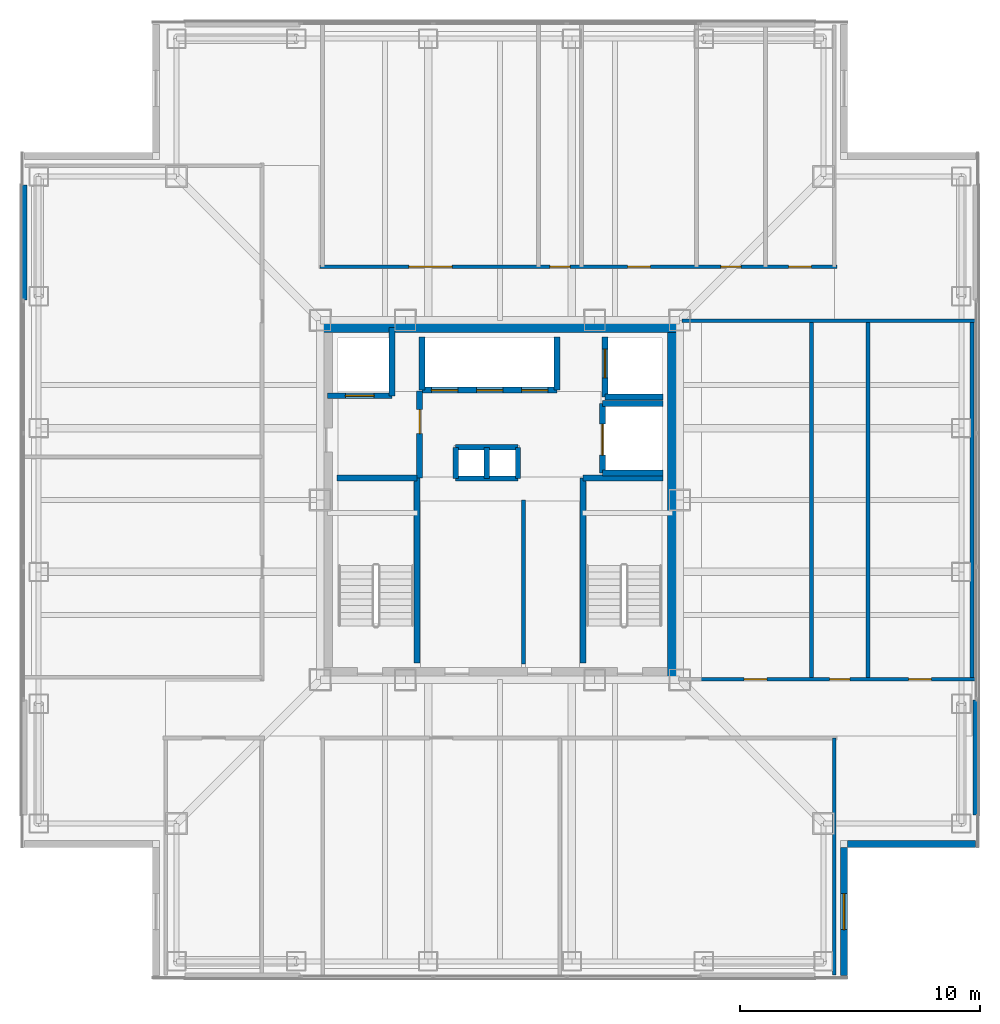
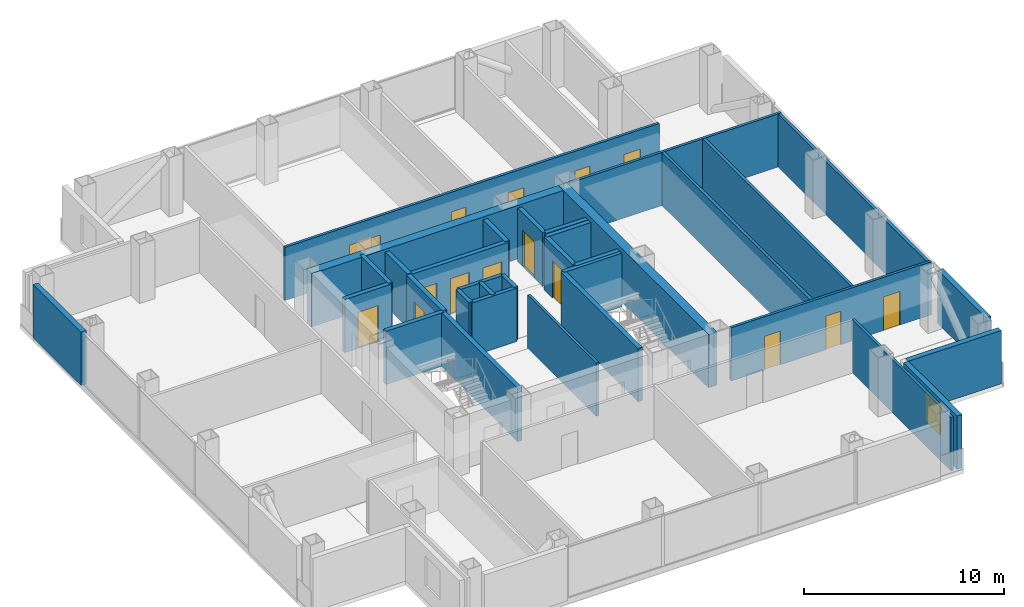
# One storey, part 9 of 16: 34 walls, 15 doors, 1 window, 16 openings.
"""IFC4 building model written with IfcOpenShell, lengths in metres."""

from ifc_helpers import new_model, si_unit, direction, frame, frame_2d, origin, place, context, subcontext, project, spatial, rectangle, extrude, material, layer, layer_set, type_object, element, fill, save


model = new_model("IFC4")

# Units and contexts
model_context = context("Model", 3, precision=1e-05, world=origin(), true_north=direction((0.0, 1.0)))
body_context = subcontext(model_context, "Body", "Model", "MODEL_VIEW")
ifc_project = project(units=[si_unit("LENGTHUNIT", "METRE"), si_unit("AREAUNIT", "SQUARE_METRE"), si_unit("VOLUMEUNIT", "CUBIC_METRE"), si_unit("PLANEANGLEUNIT", "RADIAN"), si_unit("MASSUNIT", "GRAM", prefix="KILO")], contexts=[model_context])

# Site, building, storey
site_placement = place(None, origin())
site = spatial("IfcSite", under=ifc_project, at=site_placement, CompositionType="ELEMENT")
building_placement = place(site_placement, origin())
building = spatial("IfcBuilding", under=site, at=building_placement, Name="Trevonay Congress Spire", CompositionType="ELEMENT")
storey_placement = place(building_placement, frame((0.0, 0.0, 223.800048828125)))
storey = spatial("IfcBuildingStorey", under=building, at=storey_placement, Name="L58", CompositionType="ELEMENT", Elevation=223.800048828125)

# Walls
ifc_material_1 = material(Name="Concrete C50/60", Category="concrete")
ifc_layer_1 = layer(ifc_material_1, 0.5, Name="Concrete C50/60")
ifc_layer_set_1 = layer_set([ifc_layer_1], Name="Concrete C50/60")
wall_type_1 = type_object("IfcWallType", Name="WAL-CORE-500", PredefinedType="SHEAR", material=ifc_layer_set_1)
for number, where, z_axis, x_axis, name in (
    (1, (-7.5, 7.25, 0.0), (0.0, 0.0, 1.0), (1.0, 0.0, 0.0), "L58 North structural core shear wall"),
    (2, (7.25, -7.5, 0.0), (0.0, 0.0, 1.0), (0.0, 1.0, 0.0), "L58 East structural core shear wall"),
):
    element("IfcWall", number, at=place(storey_placement, frame(where, z_axis=z_axis, x_axis=x_axis)), inside=storey, type_object=wall_type_1, Name=name, PredefinedType="SHEAR", context=body_context, shape_type="SweptSolid", body=[
        extrude(rectangle(XDim=15.0, YDim=0.5, at=frame_2d((7.5, 0.0))), origin(), (0.0, 0.0, 1.0), 3.25),
    ])

# Wall, openings, doors
ifc_material_2 = material(Name="Concrete C40/50", Category="concrete")
ifc_layer_2 = layer(ifc_material_2, 0.14990234375, Name="Concrete C40/50")
ifc_layer_set_2 = layer_set([ifc_layer_2], Name="Concrete C40/50")
wall_type_2 = type_object("IfcWallType", Name="WAL-CORR-150", PredefinedType="PARTITIONING", material=ifc_layer_set_2)
wall_1_placement = place(storey_placement, frame((-7.52001953125, 9.72998046875, 0.0), z_axis=(0.0, 0.0, 1.0), x_axis=(1.0, 0.0, 0.0)))
wall_1 = element("IfcWall", 3, at=wall_1_placement, inside=storey, type_object=wall_type_2, Name="L58 interior wall WP-L58N-COR", PredefinedType="PARTITIONING", context=body_context, shape_type="SweptSolid", body=[
    extrude(rectangle(XDim=21.590087890625, YDim=0.14990234375, at=frame_2d((10.794921875, 0.0))), origin(), (0.0, 0.0, 1.0), 3.25),
])
opening_1_placement = place(wall_1_placement, frame((3.719970703125, 0.0, 0.0)))
opening_1 = element("IfcOpeningElement", 4, at=opening_1_placement, cuts=wall_1, Name="Opening D09", PredefinedType="OPENING", context=body_context, shape_type="SweptSolid", body=[
    extrude(rectangle(XDim=1.800048828125, YDim=2.080078125, at=frame_2d((0.89990234375, 1.0400390625))), frame((0.0, 0.0849609375, 0.0), z_axis=(0.0, -1.0, 0.0), x_axis=(1.0, 0.0, 0.0)), (0.0, 0.0, 1.0), 0.169921875),
])
opening_2_placement = place(wall_1_placement, frame((9.60009765625, 0.0, 0.0)))
opening_2 = element("IfcOpeningElement", 5, at=opening_2_placement, cuts=wall_1, Name="Opening D10", PredefinedType="OPENING", context=body_context, shape_type="SweptSolid", body=[
    extrude(rectangle(XDim=0.85009765625, YDim=2.050048828125, at=frame_2d((0.425048828125, 1.02490234375))), frame((0.0, 0.0849609375, 0.0), z_axis=(0.0, -1.0, 0.0), x_axis=(1.0, 0.0, 0.0)), (0.0, 0.0, 1.0), 0.169921875),
])
opening_3_placement = place(wall_1_placement, frame((12.85009765625, 0.0, 0.0)))
opening_3 = element("IfcOpeningElement", 6, at=opening_3_placement, cuts=wall_1, Name="Opening D07", PredefinedType="OPENING", context=body_context, shape_type="SweptSolid", body=[
    extrude(rectangle(XDim=0.949951171875, YDim=2.06005859375, at=frame_2d((0.47509765625, 1.030029296875))), frame((0.0, 0.0849609375, 0.0), z_axis=(0.0, -1.0, 0.0), x_axis=(1.0, 0.0, 0.0)), (0.0, 0.0, 1.0), 0.169921875),
])
opening_4_placement = place(wall_1_placement, frame((16.735107421875, 0.0, 0.0)))
opening_4 = element("IfcOpeningElement", 7, at=opening_4_placement, cuts=wall_1, Name="Opening D10", PredefinedType="OPENING", context=body_context, shape_type="SweptSolid", body=[
    extrude(rectangle(XDim=0.85009765625, YDim=2.050048828125, at=frame_2d((0.425048828125, 1.02490234375))), frame((0.0, 0.0849609375, 0.0), z_axis=(0.0, -1.0, 0.0), x_axis=(1.0, 0.0, 0.0)), (0.0, 0.0, 1.0), 0.169921875),
])
opening_5_placement = place(wall_1_placement, frame((19.56005859375, 0.0, 0.0)))
opening_5 = element("IfcOpeningElement", 8, at=opening_5_placement, cuts=wall_1, Name="Opening D07", PredefinedType="OPENING", context=body_context, shape_type="SweptSolid", body=[
    extrude(rectangle(XDim=0.949951171875, YDim=2.06005859375, at=frame_2d((0.47509765625, 1.030029296875))), frame((0.0, 0.0849609375, 0.0), z_axis=(0.0, -1.0, 0.0), x_axis=(1.0, 0.0, 0.0)), (0.0, 0.0, 1.0), 0.169921875),
])
ifc_material_3 = material(Name="Pale Anodised Aluminium EN AW-6063-T6", Category="aluminium")
door_type_1 = type_object("IfcDoorType", Name="DOR-CONF-DBL", OperationType="DOUBLE_DOOR_SINGLE_SWING", PredefinedType="DOOR", material=ifc_material_3)
door_1_placement = place(opening_1_placement, origin())
door_1 = element("IfcDoor", 9, at=door_1_placement, inside=storey, type_object=door_type_1, Name="L58 Showroom Cafe Restaurant Door", OperationType="DOUBLE_DOOR_SINGLE_SWING", OverallHeight=2.080078125, OverallWidth=1.800048828125, PredefinedType="DOOR", context=body_context, shape_type="SweptSolid", body=[
    extrude(rectangle(XDim=1.800048828125, YDim=2.080078125, at=frame_2d((0.89990234375, 1.0400390625))), frame((0.0, 0.02490234375, 0.0), z_axis=(0.0, -1.0, 0.0), x_axis=(1.0, 0.0, 0.0)), (0.0, 0.0, 1.0), 0.050048828125),
])
fill(opening_1, door_1)
door_type_2 = type_object("IfcDoorType", Name="DOR-OFFICE-95", OperationType="NOTDEFINED", PredefinedType="DOOR", material=ifc_material_3)
door_2_placement = place(opening_3_placement, origin())
door_2 = element("IfcDoor", 10, at=door_2_placement, inside=storey, type_object=door_type_2, Name="L58 Floor Supplies and Copy Room Door", OperationType="SINGLE_SWING_RIGHT", OverallHeight=2.06005859375, OverallWidth=0.949951171875, PredefinedType="DOOR", context=body_context, shape_type="SweptSolid", body=[
    extrude(rectangle(XDim=0.949951171875, YDim=2.06005859375, at=frame_2d((0.47509765625, 1.030029296875))), frame((0.0, 0.02490234375, 0.0), z_axis=(0.0, -1.0, 0.0), x_axis=(1.0, 0.0, 0.0)), (0.0, 0.0, 1.0), 0.050048828125),
])
fill(opening_3, door_2)
door_3_placement = place(opening_5_placement, origin())
door_3 = element("IfcDoor", 11, at=door_3_placement, inside=storey, type_object=door_type_2, Name="L58 Floor Supplies and Copy Room Door", OperationType="SINGLE_SWING_RIGHT", OverallHeight=2.06005859375, OverallWidth=0.949951171875, PredefinedType="DOOR", context=body_context, shape_type="SweptSolid", body=[
    extrude(rectangle(XDim=0.949951171875, YDim=2.06005859375, at=frame_2d((0.47509765625, 1.030029296875))), frame((0.0, 0.02490234375, 0.0), z_axis=(0.0, -1.0, 0.0), x_axis=(1.0, 0.0, 0.0)), (0.0, 0.0, 1.0), 0.050048828125),
])
fill(opening_5, door_3)
door_type_3 = type_object("IfcDoorType", Name="DOR-WC-85", OperationType="NOTDEFINED", PredefinedType="DOOR", material=ifc_material_3)
door_4_placement = place(opening_2_placement, origin())
door_4 = element("IfcDoor", 12, at=door_4_placement, inside=storey, type_object=door_type_3, Name="L58 Accessible WC Door", OperationType="SINGLE_SWING_LEFT", OverallHeight=2.050048828125, OverallWidth=0.85009765625, PredefinedType="DOOR", context=body_context, shape_type="SweptSolid", body=[
    extrude(rectangle(XDim=0.85009765625, YDim=2.050048828125, at=frame_2d((0.425048828125, 1.02490234375))), frame((0.0, 0.02490234375, 0.0), z_axis=(0.0, -1.0, 0.0), x_axis=(1.0, 0.0, 0.0)), (0.0, 0.0, 1.0), 0.050048828125),
])
fill(opening_2, door_4)
door_5_placement = place(opening_4_placement, origin())
door_5 = element("IfcDoor", 13, at=door_5_placement, inside=storey, type_object=door_type_3, Name="L58 Female Restroom WC Door", OperationType="SINGLE_SWING_LEFT", OverallHeight=2.050048828125, OverallWidth=0.85009765625, PredefinedType="DOOR", context=body_context, shape_type="SweptSolid", body=[
    extrude(rectangle(XDim=0.85009765625, YDim=2.050048828125, at=frame_2d((0.425048828125, 1.02490234375))), frame((0.0, 0.02490234375, 0.0), z_axis=(0.0, -1.0, 0.0), x_axis=(1.0, 0.0, 0.0)), (0.0, 0.0, 1.0), 0.050048828125),
])
fill(opening_4, door_5)

wall_2_placement = place(storey_placement, frame((8.280029296875, -7.47998046875, 0.0), z_axis=(0.0, 0.0, 1.0), x_axis=(1.0, 0.0, 0.0)))
wall_2 = element("IfcWall", 14, at=wall_2_placement, inside=storey, type_object=wall_type_2, Name="L58 interior wall WP-L58E-COR", PredefinedType="PARTITIONING", context=body_context, shape_type="SweptSolid", body=[
    extrude(rectangle(XDim=11.5400390625, YDim=0.14990234375, at=frame_2d((5.77001953125, 0.0))), origin(), (0.0, 0.0, 1.0), 3.25),
])
opening_6_placement = place(wall_2_placement, frame((1.905029296875, 0.0, 0.0)))
opening_6 = element("IfcOpeningElement", 15, at=opening_6_placement, cuts=wall_2, Name="Opening D07", PredefinedType="OPENING", context=body_context, shape_type="SweptSolid", body=[
    extrude(rectangle(XDim=0.949951171875, YDim=2.06005859375, at=frame_2d((0.47509765625, 1.030029296875))), frame((0.0, 0.0849609375, 0.0), z_axis=(0.0, -1.0, 0.0), x_axis=(1.0, 0.0, 0.0)), (0.0, 0.0, 1.0), 0.169921875),
])
opening_7_placement = place(wall_2_placement, frame((5.469970703125, 0.0, 0.0)))
opening_7 = element("IfcOpeningElement", 16, at=opening_7_placement, cuts=wall_2, Name="Opening D10", PredefinedType="OPENING", context=body_context, shape_type="SweptSolid", body=[
    extrude(rectangle(XDim=0.85009765625, YDim=2.050048828125, at=frame_2d((0.425048828125, 1.02490234375))), frame((0.0, 0.0849609375, 0.0), z_axis=(0.0, -1.0, 0.0), x_axis=(1.0, 0.0, 0.0)), (0.0, 0.0, 1.0), 0.169921875),
])
opening_8_placement = place(wall_2_placement, frame((8.77001953125, 0.0, 0.0)))
opening_8 = element("IfcOpeningElement", 17, at=opening_8_placement, cuts=wall_2, Name="Opening D07", PredefinedType="OPENING", context=body_context, shape_type="SweptSolid", body=[
    extrude(rectangle(XDim=0.949951171875, YDim=2.06005859375, at=frame_2d((0.47509765625, 1.030029296875))), frame((0.0, 0.0849609375, 0.0), z_axis=(0.0, -1.0, 0.0), x_axis=(1.0, 0.0, 0.0)), (0.0, 0.0, 1.0), 0.169921875),
])
door_6_placement = place(opening_6_placement, origin())
door_6 = element("IfcDoor", 18, at=door_6_placement, inside=storey, type_object=door_type_2, Name="L58 Catering Kitchen Door", OperationType="SINGLE_SWING_LEFT", OverallHeight=2.06005859375, OverallWidth=0.949951171875, PredefinedType="DOOR", context=body_context, shape_type="SweptSolid", body=[
    extrude(rectangle(XDim=0.949951171875, YDim=2.06005859375, at=frame_2d((0.47509765625, 1.030029296875))), frame((0.0, 0.02490234375, 0.0), z_axis=(0.0, -1.0, 0.0), x_axis=(1.0, 0.0, 0.0)), (0.0, 0.0, 1.0), 0.050048828125),
])
fill(opening_6, door_6)
door_7_placement = place(opening_8_placement, origin())
door_7 = element("IfcDoor", 19, at=door_7_placement, inside=storey, type_object=door_type_2, Name="L58 Floor Supplies and Copy Room Door", OperationType="SINGLE_SWING_LEFT", OverallHeight=2.06005859375, OverallWidth=0.949951171875, PredefinedType="DOOR", context=body_context, shape_type="SweptSolid", body=[
    extrude(rectangle(XDim=0.949951171875, YDim=2.06005859375, at=frame_2d((0.47509765625, 1.030029296875))), frame((0.0, 0.02490234375, 0.0), z_axis=(0.0, -1.0, 0.0), x_axis=(1.0, 0.0, 0.0)), (0.0, 0.0, 1.0), 0.050048828125),
])
fill(opening_8, door_7)
door_8_placement = place(opening_7_placement, origin())
door_8 = element("IfcDoor", 20, at=door_8_placement, inside=storey, type_object=door_type_3, Name="L58 Male Restroom WC Door", OperationType="SINGLE_SWING_RIGHT", OverallHeight=2.050048828125, OverallWidth=0.85009765625, PredefinedType="DOOR", context=body_context, shape_type="SweptSolid", body=[
    extrude(rectangle(XDim=0.85009765625, YDim=2.050048828125, at=frame_2d((0.425048828125, 1.02490234375))), frame((0.0, 0.02490234375, 0.0), z_axis=(0.0, -1.0, 0.0), x_axis=(1.0, 0.0, 0.0)), (0.0, 0.0, 1.0), 0.050048828125),
])
fill(opening_7, door_8)

# Walls
ifc_material_4 = material(Name="Precast concrete C40/50", Category="concrete")
ifc_layer_3 = layer(ifc_material_4, 0.300048828125, Name="Precast concrete C40/50")
ifc_layer_set_3 = layer_set([ifc_layer_3], Name="Precast concrete C40/50")
wall_type_3 = type_object("IfcWallType", Name="WAL-EXT-PRECAST-300", PredefinedType="SOLIDWALL", material=ifc_layer_set_3)
for number, where, z_axis, x_axis, name in (
    (21, (-19.8798828125, 8.35009765625, 0.0), (0.0, 0.0, 1.0), (0.0, 1.0, 0.0), "L58 WR braced-bay exterior pier wall"),
    (22, (19.8798828125, -13.14990234375, 0.0), (0.0, 0.0, 1.0), (0.0, 1.0, 0.0), "L58 EL braced-bay exterior pier wall"),
):
    element("IfcWall", number, at=place(storey_placement, frame(where, z_axis=z_axis, x_axis=x_axis)), inside=storey, type_object=wall_type_3, Name=name, PredefinedType="SOLIDWALL", context=body_context, shape_type="SweptSolid", body=[
        extrude(rectangle(XDim=4.7998046875, YDim=0.300048828125, at=frame_2d((2.39990234375, 0.0))), origin(), (0.0, 0.0, 1.0), 3.25),
    ])

# Wall, opening, window
wall_3_placement = place(storey_placement, frame((14.35009765625, -19.85009765625, 0.0), z_axis=(0.0, 0.0, 1.0), x_axis=(0.0, 1.0, 0.0)))
wall_3 = element("IfcWall", 23, at=wall_3_placement, inside=storey, type_object=wall_type_3, Name="L58 SE re-entrant notch exterior wall 1", PredefinedType="SOLIDWALL", context=body_context, shape_type="SweptSolid", body=[
    extrude(rectangle(XDim=5.35009765625, YDim=0.300048828125, at=frame_2d((2.675048828125, 0.0))), origin(), (0.0, 0.0, 1.0), 3.25),
])
opening_9_placement = place(wall_3_placement, frame((1.925048828125, 0.0, 0.89990234375)))
opening_9 = element("IfcOpeningElement", 24, at=opening_9_placement, cuts=wall_3, Name="Opening WN03", PredefinedType="OPENING", context=body_context, shape_type="SweptSolid", body=[
    extrude(rectangle(XDim=1.5, YDim=1.800048828125, at=frame_2d((0.75, 0.89990234375))), frame((0.0, 0.16015625, 0.0), z_axis=(0.0, -1.0, 0.0), x_axis=(1.0, 0.0, 0.0)), (0.0, 0.0, 1.0), 0.320068359375),
])
ifc_material_5 = material(Name="Insulated Low-E Vision Glass IGU", Category="glass")
window_type = type_object("IfcWindowType", Name="WIN-NOTCH-150X180", PartitioningType="SINGLE_PANEL", PredefinedType="WINDOW", material=ifc_material_5)
window_placement = place(opening_9_placement, origin())
window = element("IfcWindow", 25, at=window_placement, inside=storey, type_object=window_type, Name="L58 SE corner notch window", OverallHeight=1.800048828125, OverallWidth=1.5, PartitioningType="SINGLE_PANEL", PredefinedType="WINDOW", context=body_context, shape_type="SweptSolid", body=[
    extrude(rectangle(XDim=1.5, YDim=1.800048828125, at=frame_2d((0.75, 0.89990234375))), frame((0.0, 0.030029296875, 0.0), z_axis=(0.0, -1.0, 0.0), x_axis=(1.0, 0.0, 0.0)), (0.0, 0.0, 1.0), 0.06005859375),
])
fill(opening_9, window)

# Walls
wall_4_placement = place(storey_placement, frame((19.85009765625, -14.35009765625, 0.0), z_axis=(0.0, 0.0, 1.0), x_axis=(-1.0, 0.0, 0.0)))
element("IfcWall", 26, at=wall_4_placement, inside=storey, type_object=wall_type_3, Name="L58 SE re-entrant notch exterior wall 2", PredefinedType="SOLIDWALL", context=body_context, shape_type="SweptSolid", body=[
    extrude(rectangle(XDim=5.35009765625, YDim=0.300048828125, at=frame_2d((2.675048828125, 0.0))), origin(), (0.0, 0.0, 1.0), 3.25),
])
ifc_layer_4 = layer(ifc_material_2, 0.14990234375, Name="Concrete C40/50")
ifc_layer_set_4 = layer_set([ifc_layer_4], Name="Concrete C40/50")
wall_type_4 = type_object("IfcWallType", Name="WAL-PART-150", PredefinedType="PARTITIONING", material=ifc_layer_set_4)
wall_5_placement = place(storey_placement, frame((0.97998046875, -6.85009765625, 0.0), z_axis=(0.0, 0.0, 1.0), x_axis=(0.0, 1.0, 0.0)))
element("IfcWall", 27, at=wall_5_placement, inside=storey, type_object=wall_type_4, Name="L58 interior wall CW-F3-L58", PredefinedType="PARTITIONING", context=body_context, shape_type="SweptSolid", body=[
    extrude(rectangle(XDim=6.85009765625, YDim=0.14990234375, at=frame_2d((3.425048828125, 0.0))), origin(), (0.0, 0.0, 1.0), 3.25),
])
wall_6_placement = place(storey_placement, frame((13.949951171875, -19.820068359375, 0.0), z_axis=(0.0, 0.0, 1.0), x_axis=(0.0, 1.0, 0.0)))
element("IfcWall", 28, at=wall_6_placement, inside=storey, type_object=wall_type_4, Name="L58 interior wall WP-L58SE-DIV3", PredefinedType="PARTITIONING", context=body_context, shape_type="SweptSolid", body=[
    extrude(rectangle(XDim=9.89013671875, YDim=0.14990234375, at=frame_2d((4.945068359375, 0.0))), origin(), (0.0, 0.0, 1.0), 3.25),
])
wall_7_placement = place(storey_placement, frame((7.60009765625, 7.47998046875, 0.0), z_axis=(0.0, 0.0, 1.0), x_axis=(1.0, 0.0, 0.0)))
element("IfcWall", 29, at=wall_7_placement, inside=storey, type_object=wall_type_4, Name="L58 interior wall WP-L58E-NCLS", PredefinedType="PARTITIONING", context=body_context, shape_type="SweptSolid", body=[
    extrude(rectangle(XDim=12.219970703125, YDim=0.14990234375, at=frame_2d((6.10986328125, 0.0))), origin(), (0.0, 0.0, 1.0), 3.25),
])
ifc_layer_5 = layer(ifc_material_2, 0.219970703125, Name="Concrete C40/50")
ifc_layer_set_5 = layer_set([ifc_layer_5], Name="Concrete C40/50")
wall_type_5 = type_object("IfcWallType", Name="WAL-SHAFT-220", PredefinedType="PARTITIONING", material=ifc_layer_set_5)
for number, where, z_axis, x_axis, name in (
    (30, (-1.85009765625, 2.199951171875, 0.0), (0.0, 0.0, 1.0), (1.0, 0.0, 0.0), "L58 interior shaft wall WSH-L58-RSR-N"),
    (31, (-1.85009765625, 0.89990234375, 0.0), (0.0, 0.0, 1.0), (1.0, 0.0, 0.0), "L58 interior shaft wall WSH-L58-RSR-S"),
):
    element("IfcWall", number, at=place(storey_placement, frame(where, z_axis=z_axis, x_axis=x_axis)), inside=storey, type_object=wall_type_5, Name=name, PredefinedType="PARTITIONING", context=body_context, shape_type="SweptSolid", body=[
        extrude(rectangle(XDim=2.60009765625, YDim=0.219970703125, at=frame_2d((1.300048828125, 0.0))), origin(), (0.0, 0.0, 1.0), 3.25),
    ])
for number, where, z_axis, x_axis, name in (
    (32, (-0.550048828125, 0.89990234375, 0.0), (0.0, 0.0, 1.0), (0.0, 1.0, 0.0), "L58 interior shaft wall WSH-L58-RSR-M"),
    (33, (0.75, 0.89990234375, 0.0), (0.0, 0.0, 1.0), (0.0, 1.0, 0.0), "L58 interior shaft wall WSH-L58-RSR-E"),
    (34, (-1.85009765625, 0.89990234375, 0.0), (0.0, 0.0, 1.0), (0.0, 1.0, 0.0), "L58 interior shaft wall WSH-L58-RSR-W"),
):
    element("IfcWall", number, at=place(storey_placement, frame(where, z_axis=z_axis, x_axis=x_axis)), inside=storey, type_object=wall_type_5, Name=name, PredefinedType="PARTITIONING", context=body_context, shape_type="SweptSolid", body=[
        extrude(rectangle(XDim=1.300048828125, YDim=0.219970703125, at=frame_2d((0.64990234375, 0.0))), origin(), (0.0, 0.0, 1.0), 3.25),
    ])

# Wall, openings, doors
ifc_layer_6 = layer(ifc_material_2, 0.25, Name="Concrete C40/50")
ifc_layer_set_6 = layer_set([ifc_layer_6], Name="Concrete C40/50")
wall_type_6 = type_object("IfcWallType", Name="WAL-SHAFT-250", PredefinedType="SHEAR", material=ifc_layer_set_6)
wall_8_placement = place(storey_placement, frame((-3.260009765625, 4.580078125, 0.0), z_axis=(0.0, 0.0, 1.0), x_axis=(1.0, 0.0, 0.0)))
wall_8 = element("IfcWall", 35, at=wall_8_placement, inside=storey, type_object=wall_type_6, Name="L58 interior shaft wall WSH-L58-B3-S", PredefinedType="SHEAR", context=body_context, shape_type="SweptSolid", body=[
    extrude(rectangle(XDim=5.639892578125, YDim=0.25, at=frame_2d((2.81982421875, 0.0))), origin(), (0.0, 0.0, 1.0), 3.25),
])
opening_10_placement = place(wall_8_placement, frame((0.39990234375, 0.0, 0.0)))
opening_10 = element("IfcOpeningElement", 36, at=opening_10_placement, cuts=wall_8, Name="Opening LD03", PredefinedType="OPENING", context=body_context, shape_type="SweptSolid", body=[
    extrude(rectangle(XDim=1.10009765625, YDim=2.199951171875, at=frame_2d((0.550048828125, 1.10009765625))), frame((0.0, 0.135009765625, 0.0), z_axis=(0.0, -1.0, 0.0), x_axis=(1.0, 0.0, 0.0)), (0.0, 0.0, 1.0), 0.27001953125),
])
opening_11_placement = place(wall_8_placement, frame((2.280029296875, 0.0, 0.0)))
opening_11 = element("IfcOpeningElement", 37, at=opening_11_placement, cuts=wall_8, Name="Opening LD03", PredefinedType="OPENING", context=body_context, shape_type="SweptSolid", body=[
    extrude(rectangle(XDim=1.10009765625, YDim=2.199951171875, at=frame_2d((0.550048828125, 1.10009765625))), frame((0.0, 0.135009765625, 0.0), z_axis=(0.0, -1.0, 0.0), x_axis=(1.0, 0.0, 0.0)), (0.0, 0.0, 1.0), 0.27001953125),
])
opening_12_placement = place(wall_8_placement, frame((4.159912109375, 0.0, 0.0)))
opening_12 = element("IfcOpeningElement", 38, at=opening_12_placement, cuts=wall_8, Name="Opening LD03", PredefinedType="OPENING", context=body_context, shape_type="SweptSolid", body=[
    extrude(rectangle(XDim=1.10009765625, YDim=2.199951171875, at=frame_2d((0.550048828125, 1.10009765625))), frame((0.0, 0.135009765625, 0.0), z_axis=(0.0, -1.0, 0.0), x_axis=(1.0, 0.0, 0.0)), (0.0, 0.0, 1.0), 0.27001953125),
])
door_type_4 = type_object("IfcDoorType", Name="DOR-LIFT-LD03", OperationType="DOUBLE_DOOR_SLIDING", PredefinedType="DOOR", material=ifc_material_3)
door_9_placement = place(opening_10_placement, origin())
door_9 = element("IfcDoor", 39, at=door_9_placement, inside=storey, type_object=door_type_4, Name="L58 Passenger lift PL-07 landing door", OperationType="DOUBLE_DOOR_SLIDING", OverallHeight=2.199951171875, OverallWidth=1.10009765625, PredefinedType="DOOR", context=body_context, shape_type="SweptSolid", body=[
    extrude(rectangle(XDim=1.10009765625, YDim=2.199951171875, at=frame_2d((0.550048828125, 1.10009765625))), frame((0.0, 0.02490234375, 0.0), z_axis=(0.0, -1.0, 0.0), x_axis=(1.0, 0.0, 0.0)), (0.0, 0.0, 1.0), 0.050048828125),
])
fill(opening_10, door_9)
door_10_placement = place(opening_11_placement, origin())
door_10 = element("IfcDoor", 40, at=door_10_placement, inside=storey, type_object=door_type_4, Name="L58 Passenger lift PL-08 landing door", OperationType="DOUBLE_DOOR_SLIDING", OverallHeight=2.199951171875, OverallWidth=1.10009765625, PredefinedType="DOOR", context=body_context, shape_type="SweptSolid", body=[
    extrude(rectangle(XDim=1.10009765625, YDim=2.199951171875, at=frame_2d((0.550048828125, 1.10009765625))), frame((0.0, 0.02490234375, 0.0), z_axis=(0.0, -1.0, 0.0), x_axis=(1.0, 0.0, 0.0)), (0.0, 0.0, 1.0), 0.050048828125),
])
fill(opening_11, door_10)
door_11_placement = place(opening_12_placement, origin())
door_11 = element("IfcDoor", 41, at=door_11_placement, inside=storey, type_object=door_type_4, Name="L58 Passenger lift PL-09 landing door", OperationType="DOUBLE_DOOR_SLIDING", OverallHeight=2.199951171875, OverallWidth=1.10009765625, PredefinedType="DOOR", context=body_context, shape_type="SweptSolid", body=[
    extrude(rectangle(XDim=1.10009765625, YDim=2.199951171875, at=frame_2d((0.550048828125, 1.10009765625))), frame((0.0, 0.02490234375, 0.0), z_axis=(0.0, -1.0, 0.0), x_axis=(1.0, 0.0, 0.0)), (0.0, 0.0, 1.0), 0.050048828125),
])
fill(opening_12, door_11)

# Walls
for number, where, z_axis, x_axis, name in (
    (42, (-3.260009765625, 4.580078125, 0.0), (0.0, 0.0, 1.0), (0.0, 1.0, 0.0), "L58 interior shaft wall WSH-L58-B3-W"),
    (43, (2.3798828125, 4.580078125, 0.0), (0.0, 0.0, 1.0), (0.0, 1.0, 0.0), "L58 interior shaft wall WSH-L58-B3-E"),
):
    element("IfcWall", number, at=place(storey_placement, frame(where, z_axis=z_axis, x_axis=x_axis)), inside=storey, type_object=wall_type_6, Name=name, PredefinedType="SHEAR", context=body_context, shape_type="SweptSolid", body=[
        extrude(rectangle(XDim=2.219970703125, YDim=0.25, at=frame_2d((1.10986328125, 0.0))), origin(), (0.0, 0.0, 1.0), 3.25),
    ])

# Wall, opening, door
wall_9_placement = place(storey_placement, frame((-7.199951171875, 4.35009765625, 0.0), z_axis=(0.0, 0.0, 1.0), x_axis=(1.0, 0.0, 0.0)))
wall_9 = element("IfcWall", 44, at=wall_9_placement, inside=storey, type_object=wall_type_6, Name="L58 interior shaft wall WSH-L58-FF1-S", PredefinedType="SHEAR", context=body_context, shape_type="SweptSolid", body=[
    extrude(rectangle(XDim=2.699951171875, YDim=0.25, at=frame_2d((1.35009765625, 0.0))), origin(), (0.0, 0.0, 1.0), 3.25),
])
opening_13_placement = place(wall_9_placement, frame((0.75, 0.0, 0.0)))
opening_13 = element("IfcOpeningElement", 45, at=opening_13_placement, cuts=wall_9, Name="Opening LD04", PredefinedType="OPENING", context=body_context, shape_type="SweptSolid", body=[
    extrude(rectangle(XDim=1.199951171875, YDim=2.199951171875, at=frame_2d((0.60009765625, 1.10009765625))), frame((0.0, 0.135009765625, 0.0), z_axis=(0.0, -1.0, 0.0), x_axis=(1.0, 0.0, 0.0)), (0.0, 0.0, 1.0), 0.27001953125),
])
ifc_material_6 = material(Name="Steel ASTM A572 Grade 50", Category="steel")
door_type_5 = type_object("IfcDoorType", Name="DOR-LIFT-LD04", OperationType="DOUBLE_DOOR_SLIDING", PredefinedType="DOOR", material=ifc_material_6)
door_12_placement = place(opening_13_placement, origin())
door_12 = element("IfcDoor", 46, at=door_12_placement, inside=storey, type_object=door_type_5, Name="L58 Firefighting lift FFL-01 landing door", OperationType="DOUBLE_DOOR_SLIDING", OverallHeight=2.199951171875, OverallWidth=1.199951171875, PredefinedType="DOOR", context=body_context, shape_type="SweptSolid", body=[
    extrude(rectangle(XDim=1.199951171875, YDim=2.199951171875, at=frame_2d((0.60009765625, 1.10009765625))), frame((0.0, 0.02490234375, 0.0), z_axis=(0.0, -1.0, 0.0), x_axis=(1.0, 0.0, 0.0)), (0.0, 0.0, 1.0), 0.050048828125),
])
fill(opening_13, door_12)

# Walls
wall_10_placement = place(storey_placement, frame((-4.5, 4.35009765625, 0.0), z_axis=(0.0, 0.0, 1.0), x_axis=(0.0, 1.0, 0.0)))
element("IfcWall", 47, at=wall_10_placement, inside=storey, type_object=wall_type_6, Name="L58 interior shaft wall WSH-L58-FF1-E", PredefinedType="SHEAR", context=body_context, shape_type="SweptSolid", body=[
    extrude(rectangle(XDim=2.849853515625, YDim=0.25, at=frame_2d((1.4248046875, 0.0))), origin(), (0.0, 0.0, 1.0), 3.25),
])
wall_11_placement = place(storey_placement, frame((4.3798828125, 4.300048828125, 0.0), z_axis=(0.0, 0.0, 1.0), x_axis=(1.0, 0.0, 0.0)))
element("IfcWall", 48, at=wall_11_placement, inside=storey, type_object=wall_type_6, Name="L58 interior shaft wall WSH-L58-FF2-S", PredefinedType="SHEAR", context=body_context, shape_type="SweptSolid", body=[
    extrude(rectangle(XDim=2.420166015625, YDim=0.25, at=frame_2d((1.2099609375, 0.0))), origin(), (0.0, 0.0, 1.0), 3.25),
])

# Wall, opening, door
wall_12_placement = place(storey_placement, frame((4.3798828125, 4.300048828125, 0.0), z_axis=(0.0, 0.0, 1.0), x_axis=(0.0, 1.0, 0.0)))
wall_12 = element("IfcWall", 49, at=wall_12_placement, inside=storey, type_object=wall_type_6, Name="L58 interior shaft wall WSH-L58-FF2-W", PredefinedType="SHEAR", context=body_context, shape_type="SweptSolid", body=[
    extrude(rectangle(XDim=2.5, YDim=0.25, at=frame_2d((1.25, 0.0))), origin(), (0.0, 0.0, 1.0), 3.25),
])
opening_14_placement = place(wall_12_placement, frame((0.800048828125, 0.0, 0.0)))
opening_14 = element("IfcOpeningElement", 50, at=opening_14_placement, cuts=wall_12, Name="Opening LD04", PredefinedType="OPENING", context=body_context, shape_type="SweptSolid", body=[
    extrude(rectangle(XDim=1.199951171875, YDim=2.199951171875, at=frame_2d((0.60009765625, 1.10009765625))), frame((0.0, 0.135009765625, 0.0), z_axis=(0.0, -1.0, 0.0), x_axis=(1.0, 0.0, 0.0)), (0.0, 0.0, 1.0), 0.27001953125),
])
door_13_placement = place(opening_14_placement, origin())
door_13 = element("IfcDoor", 51, at=door_13_placement, inside=storey, type_object=door_type_5, Name="L58 Firefighting lift FFL-02 landing door", OperationType="DOUBLE_DOOR_SLIDING", OverallHeight=2.199951171875, OverallWidth=1.199951171875, PredefinedType="DOOR", context=body_context, shape_type="SweptSolid", body=[
    extrude(rectangle(XDim=1.199951171875, YDim=2.199951171875, at=frame_2d((0.60009765625, 1.10009765625))), frame((0.0, 0.02490234375, 0.0), z_axis=(0.0, -1.0, 0.0), x_axis=(1.0, 0.0, 0.0)), (0.0, 0.0, 1.0), 0.050048828125),
])
fill(opening_14, door_13)

wall_13_placement = place(storey_placement, frame((4.280029296875, 1.1201171875, 0.0), z_axis=(0.0, 0.0, 1.0), x_axis=(0.0, 1.0, 0.0)))
wall_13 = element("IfcWall", 52, at=wall_13_placement, inside=storey, type_object=wall_type_6, Name="L58 interior shaft wall WSH-L58-SV-W", PredefinedType="SHEAR", context=body_context, shape_type="SweptSolid", body=[
    extrude(rectangle(XDim=2.89990234375, YDim=0.25, at=frame_2d((1.449951171875, 0.0))), origin(), (0.0, 0.0, 1.0), 3.25),
])
opening_15_placement = place(wall_13_placement, frame((0.75, 0.0, 0.0)))
opening_15 = element("IfcOpeningElement", 53, at=opening_15_placement, cuts=wall_13, Name="Opening LD05", PredefinedType="OPENING", context=body_context, shape_type="SweptSolid", body=[
    extrude(rectangle(XDim=1.300048828125, YDim=2.300048828125, at=frame_2d((0.64990234375, 1.14990234375))), frame((0.0, 0.135009765625, 0.0), z_axis=(0.0, -1.0, 0.0), x_axis=(1.0, 0.0, 0.0)), (0.0, 0.0, 1.0), 0.27001953125),
])
door_type_6 = type_object("IfcDoorType", Name="DOR-LIFT-LD05", OperationType="DOUBLE_DOOR_SLIDING", PredefinedType="DOOR", material=ifc_material_6)
door_14_placement = place(opening_15_placement, origin())
door_14 = element("IfcDoor", 54, at=door_14_placement, inside=storey, type_object=door_type_6, Name="L58 Goods lift SVL-01 landing door", OperationType="DOUBLE_DOOR_SLIDING", OverallHeight=2.300048828125, OverallWidth=1.300048828125, PredefinedType="DOOR", context=body_context, shape_type="SweptSolid", body=[
    extrude(rectangle(XDim=1.300048828125, YDim=2.300048828125, at=frame_2d((0.64990234375, 1.14990234375))), frame((0.0, 0.02490234375, 0.0), z_axis=(0.0, -1.0, 0.0), x_axis=(1.0, 0.0, 0.0)), (0.0, 0.0, 1.0), 0.050048828125),
])
fill(opening_15, door_14)

# Walls
for number, where, z_axis, x_axis, name in (
    (55, (4.280029296875, 1.1201171875, 0.0), (0.0, 0.0, 1.0), (1.0, 0.0, 0.0), "L58 interior shaft wall WSH-L58-SV-S"),
    (56, (4.280029296875, 4.02001953125, 0.0), (0.0, 0.0, 1.0), (1.0, 0.0, 0.0), "L58 interior shaft wall WSH-L58-SV-N"),
):
    element("IfcWall", number, at=place(storey_placement, frame(where, z_axis=z_axis, x_axis=x_axis)), inside=storey, type_object=wall_type_6, Name=name, PredefinedType="SHEAR", context=body_context, shape_type="SweptSolid", body=[
        extrude(rectangle(XDim=2.52001953125, YDim=0.25, at=frame_2d((1.260009765625, 0.0))), origin(), (0.0, 0.0, 1.0), 3.25),
    ])

# Wall, opening, door
wall_14_placement = place(storey_placement, frame((-3.35009765625, 0.919921875, 0.0), z_axis=(0.0, 0.0, 1.0), x_axis=(0.0, 1.0, 0.0)))
wall_14 = element("IfcWall", 57, at=wall_14_placement, inside=storey, type_object=wall_type_6, Name="L58 interior wall CW-FFLW-E-L58", PredefinedType="SHEAR", context=body_context, shape_type="SweptSolid", body=[
    extrude(rectangle(XDim=3.6201171875, YDim=0.25, at=frame_2d((1.81005859375, 0.0))), origin(), (0.0, 0.0, 1.0), 3.25),
])
opening_16_placement = place(wall_14_placement, frame((1.85009765625, 0.0, 0.0)))
opening_16 = element("IfcOpeningElement", 58, at=opening_16_placement, cuts=wall_14, Name="Opening D06", PredefinedType="OPENING", context=body_context, shape_type="SweptSolid", body=[
    extrude(rectangle(XDim=1.0, YDim=2.080078125, at=frame_2d((0.5, 1.0400390625))), frame((0.0, 0.135009765625, 0.0), z_axis=(0.0, -1.0, 0.0), x_axis=(1.0, 0.0, 0.0)), (0.0, 0.0, 1.0), 0.27001953125),
])
door_type_7 = type_object("IfcDoorType", Name="DOR-FIRE-100", OperationType="NOTDEFINED", PredefinedType="DOOR", material=ifc_material_6)
door_15_placement = place(opening_16_placement, origin())
door_15 = element("IfcDoor", 59, at=door_15_placement, inside=storey, type_object=door_type_7, Name="L58 Firefighting Core Lobby Transfer Door", OperationType="SINGLE_SWING_LEFT", OverallHeight=2.080078125, OverallWidth=1.0, PredefinedType="DOOR", context=body_context, shape_type="SweptSolid", body=[
    extrude(rectangle(XDim=1.0, YDim=2.080078125, at=frame_2d((0.5, 1.0400390625))), frame((0.0, 0.02490234375, 0.0), z_axis=(0.0, -1.0, 0.0), x_axis=(1.0, 0.0, 0.0)), (0.0, 0.0, 1.0), 0.050048828125),
])
fill(opening_16, door_15)

# Walls
ifc_layer_7 = layer(ifc_material_2, 0.25, Name="Concrete C40/50")
ifc_layer_set_7 = layer_set([ifc_layer_7], Name="Concrete C40/50")
wall_type_7 = type_object("IfcWallType", Name="WAL-SHAFT-LB-250", PredefinedType="SHEAR", material=ifc_layer_set_7)
wall_15_placement = place(storey_placement, frame((-3.469970703125, -6.800048828125, 0.0), z_axis=(0.0, 0.0, 1.0), x_axis=(0.0, 1.0, 0.0)))
element("IfcWall", 60, at=wall_15_placement, inside=storey, type_object=wall_type_7, Name="L58 interior shaft wall WSH-L58-ST1-E", PredefinedType="SHEAR", context=body_context, shape_type="SweptSolid", body=[
    extrude(rectangle(XDim=7.719970703125, YDim=0.25, at=frame_2d((3.85986328125, 0.0))), origin(), (0.0, 0.0, 1.0), 3.25),
])
wall_16_placement = place(storey_placement, frame((-6.800048828125, 0.919921875, 0.0), z_axis=(0.0, 0.0, 1.0), x_axis=(1.0, 0.0, 0.0)))
element("IfcWall", 61, at=wall_16_placement, inside=storey, type_object=wall_type_7, Name="L58 interior shaft wall WSH-L58-ST1-N", PredefinedType="SHEAR", context=body_context, shape_type="SweptSolid", body=[
    extrude(rectangle(XDim=3.330078125, YDim=0.25, at=frame_2d((1.6650390625, 0.0))), origin(), (0.0, 0.0, 1.0), 3.25),
])
wall_17_placement = place(storey_placement, frame((3.469970703125, -6.800048828125, 0.0), z_axis=(0.0, 0.0, 1.0), x_axis=(0.0, 1.0, 0.0)))
element("IfcWall", 62, at=wall_17_placement, inside=storey, type_object=wall_type_7, Name="L58 interior shaft wall WSH-L58-ST2-W", PredefinedType="SHEAR", context=body_context, shape_type="SweptSolid", body=[
    extrude(rectangle(XDim=7.719970703125, YDim=0.25, at=frame_2d((3.85986328125, 0.0))), origin(), (0.0, 0.0, 1.0), 3.25),
])
wall_18_placement = place(storey_placement, frame((3.469970703125, 0.919921875, 0.0), z_axis=(0.0, 0.0, 1.0), x_axis=(1.0, 0.0, 0.0)))
element("IfcWall", 63, at=wall_18_placement, inside=storey, type_object=wall_type_7, Name="L58 interior shaft wall WSH-L58-ST2-N", PredefinedType="SHEAR", context=body_context, shape_type="SweptSolid", body=[
    extrude(rectangle(XDim=3.330078125, YDim=0.25, at=frame_2d((1.6650390625, 0.0))), origin(), (0.0, 0.0, 1.0), 3.25),
])
ifc_layer_8 = layer(ifc_material_2, 0.1650390625, Name="Concrete C40/50")
ifc_layer_set_8 = layer_set([ifc_layer_8], Name="Concrete C40/50")
wall_type_8 = type_object("IfcWallType", Name="WAL-WET-165", PredefinedType="PLUMBINGWALL", material=ifc_layer_set_8)
for number, where, z_axis, x_axis, name in (
    (64, (15.35009765625, -7.47998046875, 0.0), (0.0, 0.0, 1.0), (0.0, 1.0, 0.0), "L58 interior wall WP-L58E-WCS2"),
    (65, (13.0, -7.47998046875, 0.0), (0.0, 0.0, 1.0), (0.0, 1.0, 0.0), "L58 interior wall WP-L58E-DIV1"),
    (66, (19.699951171875, -7.47998046875, 0.0), (0.0, 0.0, 1.0), (0.0, 1.0, 0.0), "L58 interior wall WP-L58E-DIV2"),
):
    element("IfcWall", number, at=place(storey_placement, frame(where, z_axis=z_axis, x_axis=x_axis)), inside=storey, type_object=wall_type_8, Name=name, PredefinedType="PLUMBINGWALL", context=body_context, shape_type="SweptSolid", body=[
        extrude(rectangle(XDim=14.89990234375, YDim=0.1650390625, at=frame_2d((7.449951171875, 0.0))), origin(), (0.0, 0.0, 1.0), 3.25),
    ])

save(model, "model.ifc")
